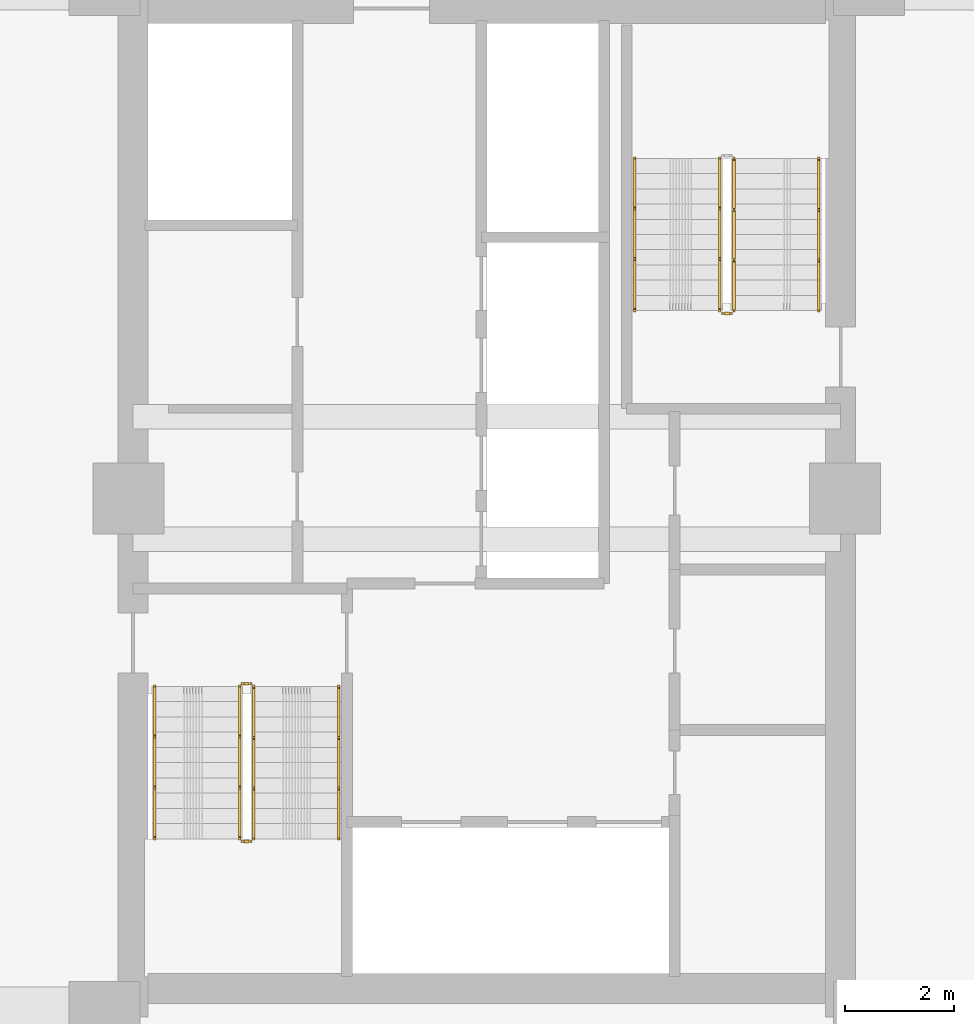
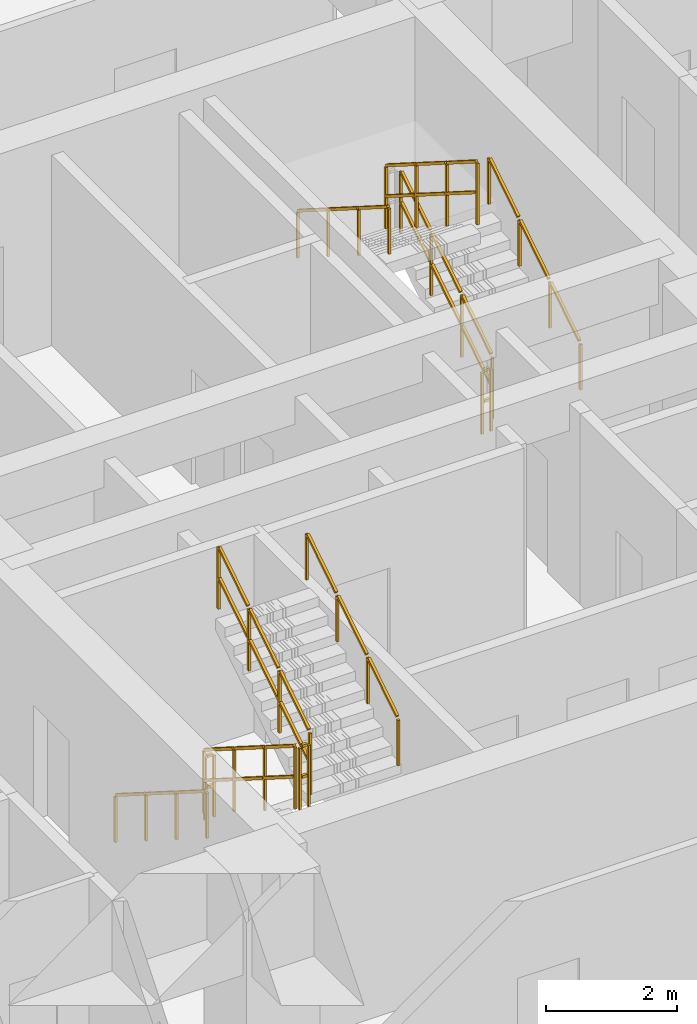
# One storey, part 11 of 13: 11 railings.
"""IFC4 building model written with IfcOpenShell, lengths in metres."""

from ifc_helpers import new_model, si_unit, direction, frame, origin, origin_2d, place, context, subcontext, project, spatial, rectangle, extrude, material, type_object, element, save


model = new_model("IFC4")

# Units and contexts
model_context = context("Model", 3, precision=1e-05, world=origin(), true_north=direction((0.0, 1.0)))
body_context = subcontext(model_context, "Body", "Model", "MODEL_VIEW")
ifc_project = project(units=[si_unit("LENGTHUNIT", "METRE"), si_unit("AREAUNIT", "SQUARE_METRE"), si_unit("VOLUMEUNIT", "CUBIC_METRE"), si_unit("PLANEANGLEUNIT", "RADIAN"), si_unit("MASSUNIT", "GRAM", prefix="KILO")], contexts=[model_context])

# Site, building, storey
site_placement = place(None, origin())
site = spatial("IfcSite", under=ifc_project, at=site_placement, CompositionType="ELEMENT")
building_placement = place(site_placement, origin())
building = spatial("IfcBuilding", under=site, at=building_placement, Name="Saelheon Loggia Tower", CompositionType="ELEMENT")
storey_placement = place(building_placement, frame((0.0, 0.0, 122.85009765625)))
storey = spatial("IfcBuildingStorey", under=building, at=storey_placement, Name="L39", CompositionType="ELEMENT", Elevation=122.85009765625)

# Railings
ifc_material_1 = material(Name="Galvanised Steel S275 Stairwell Guardrail", Category="steel")
railing_type_1 = type_object("IfcRailingType", Name="Guard_StairWell_RL_STG", PredefinedType="GUARDRAIL", material=ifc_material_1)
railing_1_placement = place(storey_placement, frame((33.4599609375, 23.550048828125, 0.17724609375)))
element("IfcRailing", 1, at=railing_1_placement, inside=storey, type_object=railing_type_1, Name="L39 ST1 stair guard 1", PredefinedType="GUARDRAIL", context=body_context, shape_type="SweptSolid", body=[
    extrude(rectangle(XDim=0.048095703125, YDim=0.048095703125, at=origin_2d()), frame((0.0, -0.028076171875, 1.193603515625), z_axis=(0.0, -0.844908973607, 0.534910110503), x_axis=(1.0, 0.0, 0.0)), (0.0, 0.0, 1.0), 1.0380859375),
    extrude(rectangle(XDim=0.048095703125, YDim=0.048095703125, at=origin_2d()), frame((0.0, -0.028076171875, 0.61767578125), z_axis=(0.0, -0.844908973607, 0.534910110503), x_axis=(1.0, 0.0, 0.0)), (0.0, 0.0, 1.0), 1.0380859375),
    extrude(rectangle(XDim=0.048095703125, YDim=0.048095703125, at=origin_2d()), frame((0.0, -0.96142578125, 1.78466796875), z_axis=(0.0, -0.844908973607, 0.534910110503), x_axis=(1.0, 0.0, 0.0)), (0.0, 0.0, 1.0), 1.0380859375),
    extrude(rectangle(XDim=0.048095703125, YDim=0.048095703125, at=origin_2d()), frame((0.0, -0.96142578125, 1.208740234375), z_axis=(0.0, -0.844908973607, 0.534910110503), x_axis=(1.0, 0.0, 0.0)), (0.0, 0.0, 1.0), 1.0380859375),
    extrude(rectangle(XDim=0.048095703125, YDim=0.048095703125, at=origin_2d()), frame((0.0, -1.894775390625, 2.37548828125), z_axis=(0.0, -0.844908973607, 0.534910110503), x_axis=(1.0, 0.0, 0.0)), (0.0, 0.0, 1.0), 1.0380859375),
    extrude(rectangle(XDim=0.048095703125, YDim=0.048095703125, at=origin_2d()), frame((0.0, -1.894775390625, 1.799560546875), z_axis=(0.0, -0.844908973607, 0.534910110503), x_axis=(1.0, 0.0, 0.0)), (0.0, 0.0, 1.0), 1.0380859375),
    extrude(rectangle(XDim=0.0419921875, YDim=0.0419921875, at=origin_2d()), origin(), (0.0, 0.0, 1.0), 1.14794921875),
    extrude(rectangle(XDim=0.0419921875, YDim=0.0419921875, at=origin_2d()), frame((0.0, -0.933349609375, 0.5908203125)), (0.0, 0.0, 1.0), 1.14794921875),
    extrude(rectangle(XDim=0.0419921875, YDim=0.0419921875, at=origin_2d()), frame((0.0, -1.86669921875, 1.181884765625)), (0.0, 0.0, 1.0), 1.14794921875),
    extrude(rectangle(XDim=0.0419921875, YDim=0.0419921875, at=origin_2d()), frame((0.0, -2.800048828125, 1.772705078125)), (0.0, 0.0, 1.0), 1.14794921875),
])
railing_2_placement = place(storey_placement, frame((33.510009765625, 20.699951171875, 1.949951171875)))
element("IfcRailing", 2, at=railing_2_placement, inside=storey, type_object=railing_type_1, Name="L39 ST1 stair guard 2", PredefinedType="GUARDRAIL", context=body_context, shape_type="SweptSolid", body=[
    extrude(rectangle(XDim=0.048095703125, YDim=0.048095703125, at=origin_2d()), frame((0.033203125, 0.0, 1.17578125), z_axis=(1.0, 0.0, 0.0), x_axis=(0.0, 1.0, 0.0)), (0.0, 0.0, 1.0), 0.093505859375),
    extrude(rectangle(XDim=0.048095703125, YDim=0.048095703125, at=origin_2d()), frame((0.033203125, 0.0, 0.60009765625), z_axis=(1.0, 0.0, 0.0), x_axis=(0.0, 1.0, 0.0)), (0.0, 0.0, 1.0), 0.093505859375),
    extrude(rectangle(XDim=0.0419921875, YDim=0.0419921875, at=origin_2d()), origin(), (0.0, 0.0, 1.0), 1.14794921875),
    extrude(rectangle(XDim=0.0419921875, YDim=0.0419921875, at=origin_2d()), frame((0.159912109375, 0.0, 0.0)), (0.0, 0.0, 1.0), 1.14794921875),
])
railing_3_placement = place(storey_placement, frame((33.719970703125, 20.75, 2.127197265625)))
element("IfcRailing", 3, at=railing_3_placement, inside=storey, type_object=railing_type_1, Name="L39 ST1 stair guard 3", PredefinedType="GUARDRAIL", context=body_context, shape_type="SweptSolid", body=[
    extrude(rectangle(XDim=0.048095703125, YDim=0.048095703125, at=origin_2d()), frame((0.0, 0.028076171875, 1.193603515625), z_axis=(0.0, 0.844908973607, 0.534910110503), x_axis=(-1.0, 0.0, 0.0)), (0.0, 0.0, 1.0), 1.0380859375),
    extrude(rectangle(XDim=0.048095703125, YDim=0.048095703125, at=origin_2d()), frame((0.0, 0.028076171875, 0.61767578125), z_axis=(0.0, 0.844908973607, 0.534910110503), x_axis=(-1.0, 0.0, 0.0)), (0.0, 0.0, 1.0), 1.0380859375),
    extrude(rectangle(XDim=0.048095703125, YDim=0.048095703125, at=origin_2d()), frame((0.0, 0.96142578125, 1.78466796875), z_axis=(0.0, 0.844908973607, 0.534910110503), x_axis=(-1.0, 0.0, 0.0)), (0.0, 0.0, 1.0), 1.0380859375),
    extrude(rectangle(XDim=0.048095703125, YDim=0.048095703125, at=origin_2d()), frame((0.0, 0.96142578125, 1.208740234375), z_axis=(0.0, 0.844908973607, 0.534910110503), x_axis=(-1.0, 0.0, 0.0)), (0.0, 0.0, 1.0), 1.0380859375),
    extrude(rectangle(XDim=0.048095703125, YDim=0.048095703125, at=origin_2d()), frame((0.0, 1.894775390625, 2.37548828125), z_axis=(0.0, 0.844908973607, 0.534910110503), x_axis=(-1.0, 0.0, 0.0)), (0.0, 0.0, 1.0), 1.0380859375),
    extrude(rectangle(XDim=0.048095703125, YDim=0.048095703125, at=origin_2d()), frame((0.0, 1.894775390625, 1.799560546875), z_axis=(0.0, 0.844908973607, 0.534910110503), x_axis=(-1.0, 0.0, 0.0)), (0.0, 0.0, 1.0), 1.0380859375),
    extrude(rectangle(XDim=0.0419921875, YDim=0.0419921875, at=origin_2d()), origin(), (0.0, 0.0, 1.0), 1.14794921875),
    extrude(rectangle(XDim=0.0419921875, YDim=0.0419921875, at=origin_2d()), frame((0.0, 0.933349609375, 0.5908203125)), (0.0, 0.0, 1.0), 1.14794921875),
    extrude(rectangle(XDim=0.0419921875, YDim=0.0419921875, at=origin_2d()), frame((0.0, 1.86669921875, 1.181884765625)), (0.0, 0.0, 1.0), 1.14794921875),
    extrude(rectangle(XDim=0.0419921875, YDim=0.0419921875, at=origin_2d()), frame((0.0, 2.800048828125, 1.772705078125)), (0.0, 0.0, 1.0), 1.14794921875),
])
railing_4_placement = place(storey_placement, frame((33.510009765625, 23.60009765625, 0.0)))
element("IfcRailing", 4, at=railing_4_placement, inside=storey, type_object=railing_type_1, Name="L39 ST1 stair guard 4", PredefinedType="GUARDRAIL", context=body_context, shape_type="SweptSolid", body=[
    extrude(rectangle(XDim=0.048095703125, YDim=0.048095703125, at=origin_2d()), frame((0.033203125, 0.0, 1.17578125), z_axis=(1.0, 0.0, 0.0), x_axis=(0.0, 1.0, 0.0)), (0.0, 0.0, 1.0), 0.093505859375),
    extrude(rectangle(XDim=0.048095703125, YDim=0.048095703125, at=origin_2d()), frame((0.033203125, 0.0, 0.60009765625), z_axis=(1.0, 0.0, 0.0), x_axis=(0.0, 1.0, 0.0)), (0.0, 0.0, 1.0), 0.093505859375),
    extrude(rectangle(XDim=0.0419921875, YDim=0.0419921875, at=origin_2d()), origin(), (0.0, 0.0, 1.0), 1.14794921875),
    extrude(rectangle(XDim=0.0419921875, YDim=0.0419921875, at=origin_2d()), frame((0.159912109375, 0.0, 0.0)), (0.0, 0.0, 1.0), 1.14794921875),
])
railing_5_placement = place(storey_placement, frame((42.5400390625, 30.449951171875, 0.17724609375)))
element("IfcRailing", 5, at=railing_5_placement, inside=storey, type_object=railing_type_1, Name="L39 ST2 stair guard 1", PredefinedType="GUARDRAIL", context=body_context, shape_type="SweptSolid", body=[
    extrude(rectangle(XDim=0.048095703125, YDim=0.048095703125, at=origin_2d()), frame((0.0, 0.028076171875, 1.193603515625), z_axis=(0.0, 0.844908973607, 0.534910110503), x_axis=(-1.0, 0.0, 0.0)), (0.0, 0.0, 1.0), 1.0380859375),
    extrude(rectangle(XDim=0.048095703125, YDim=0.048095703125, at=origin_2d()), frame((0.0, 0.028076171875, 0.61767578125), z_axis=(0.0, 0.844908973607, 0.534910110503), x_axis=(-1.0, 0.0, 0.0)), (0.0, 0.0, 1.0), 1.0380859375),
    extrude(rectangle(XDim=0.048095703125, YDim=0.048095703125, at=origin_2d()), frame((0.0, 0.96142578125, 1.78466796875), z_axis=(0.0, 0.844908973607, 0.534910110503), x_axis=(-1.0, 0.0, 0.0)), (0.0, 0.0, 1.0), 1.0380859375),
    extrude(rectangle(XDim=0.048095703125, YDim=0.048095703125, at=origin_2d()), frame((0.0, 0.96142578125, 1.208740234375), z_axis=(0.0, 0.844908973607, 0.534910110503), x_axis=(-1.0, 0.0, 0.0)), (0.0, 0.0, 1.0), 1.0380859375),
    extrude(rectangle(XDim=0.048095703125, YDim=0.048095703125, at=origin_2d()), frame((0.0, 1.894775390625, 2.37548828125), z_axis=(0.0, 0.844908973607, 0.534910110503), x_axis=(-1.0, 0.0, 0.0)), (0.0, 0.0, 1.0), 1.0380859375),
    extrude(rectangle(XDim=0.048095703125, YDim=0.048095703125, at=origin_2d()), frame((0.0, 1.894775390625, 1.799560546875), z_axis=(0.0, 0.844908973607, 0.534910110503), x_axis=(-1.0, 0.0, 0.0)), (0.0, 0.0, 1.0), 1.0380859375),
    extrude(rectangle(XDim=0.0419921875, YDim=0.0419921875, at=origin_2d()), origin(), (0.0, 0.0, 1.0), 1.14794921875),
    extrude(rectangle(XDim=0.0419921875, YDim=0.0419921875, at=origin_2d()), frame((0.0, 0.933349609375, 0.5908203125)), (0.0, 0.0, 1.0), 1.14794921875),
    extrude(rectangle(XDim=0.0419921875, YDim=0.0419921875, at=origin_2d()), frame((0.0, 1.86669921875, 1.181884765625)), (0.0, 0.0, 1.0), 1.14794921875),
    extrude(rectangle(XDim=0.0419921875, YDim=0.0419921875, at=origin_2d()), frame((0.0, 2.800048828125, 1.772705078125)), (0.0, 0.0, 1.0), 1.14794921875),
])
railing_6_placement = place(storey_placement, frame((42.280029296875, 33.25, 2.127197265625)))
element("IfcRailing", 6, at=railing_6_placement, inside=storey, type_object=railing_type_1, Name="L39 ST2 stair guard 3", PredefinedType="GUARDRAIL", context=body_context, shape_type="SweptSolid", body=[
    extrude(rectangle(XDim=0.048095703125, YDim=0.048095703125, at=origin_2d()), frame((0.0, -0.028076171875, 1.193603515625), z_axis=(0.0, -0.844908973607, 0.534910110503), x_axis=(1.0, 0.0, 0.0)), (0.0, 0.0, 1.0), 1.0380859375),
    extrude(rectangle(XDim=0.048095703125, YDim=0.048095703125, at=origin_2d()), frame((0.0, -0.028076171875, 0.61767578125), z_axis=(0.0, -0.844908973607, 0.534910110503), x_axis=(1.0, 0.0, 0.0)), (0.0, 0.0, 1.0), 1.0380859375),
    extrude(rectangle(XDim=0.048095703125, YDim=0.048095703125, at=origin_2d()), frame((0.0, -0.96142578125, 1.78466796875), z_axis=(0.0, -0.844908973607, 0.534910110503), x_axis=(1.0, 0.0, 0.0)), (0.0, 0.0, 1.0), 1.0380859375),
    extrude(rectangle(XDim=0.048095703125, YDim=0.048095703125, at=origin_2d()), frame((0.0, -0.96142578125, 1.208740234375), z_axis=(0.0, -0.844908973607, 0.534910110503), x_axis=(1.0, 0.0, 0.0)), (0.0, 0.0, 1.0), 1.0380859375),
    extrude(rectangle(XDim=0.048095703125, YDim=0.048095703125, at=origin_2d()), frame((0.0, -1.894775390625, 2.37548828125), z_axis=(0.0, -0.844908973607, 0.534910110503), x_axis=(1.0, 0.0, 0.0)), (0.0, 0.0, 1.0), 1.0380859375),
    extrude(rectangle(XDim=0.048095703125, YDim=0.048095703125, at=origin_2d()), frame((0.0, -1.894775390625, 1.799560546875), z_axis=(0.0, -0.844908973607, 0.534910110503), x_axis=(1.0, 0.0, 0.0)), (0.0, 0.0, 1.0), 1.0380859375),
    extrude(rectangle(XDim=0.0419921875, YDim=0.0419921875, at=origin_2d()), origin(), (0.0, 0.0, 1.0), 1.14794921875),
    extrude(rectangle(XDim=0.0419921875, YDim=0.0419921875, at=origin_2d()), frame((0.0, -0.933349609375, 0.5908203125)), (0.0, 0.0, 1.0), 1.14794921875),
    extrude(rectangle(XDim=0.0419921875, YDim=0.0419921875, at=origin_2d()), frame((0.0, -1.86669921875, 1.181884765625)), (0.0, 0.0, 1.0), 1.14794921875),
    extrude(rectangle(XDim=0.0419921875, YDim=0.0419921875, at=origin_2d()), frame((0.0, -2.800048828125, 1.772705078125)), (0.0, 0.0, 1.0), 1.14794921875),
])
railing_7_placement = place(storey_placement, frame((42.489990234375, 30.39990234375, 0.0)))
element("IfcRailing", 7, at=railing_7_placement, inside=storey, type_object=railing_type_1, Name="L39 ST2 stair guard 4", PredefinedType="GUARDRAIL", context=body_context, shape_type="SweptSolid", body=[
    extrude(rectangle(XDim=0.048095703125, YDim=0.048095703125, at=origin_2d()), frame((-0.033203125, 0.0, 1.17578125), z_axis=(-1.0, 0.0, 0.0), x_axis=(0.0, -1.0, 0.0)), (0.0, 0.0, 1.0), 0.093505859375),
    extrude(rectangle(XDim=0.048095703125, YDim=0.048095703125, at=origin_2d()), frame((-0.033203125, 0.0, 0.60009765625), z_axis=(-1.0, 0.0, 0.0), x_axis=(0.0, -1.0, 0.0)), (0.0, 0.0, 1.0), 0.093505859375),
    extrude(rectangle(XDim=0.0419921875, YDim=0.0419921875, at=origin_2d()), origin(), (0.0, 0.0, 1.0), 1.14794921875),
    extrude(rectangle(XDim=0.0419921875, YDim=0.0419921875, at=origin_2d()), frame((-0.159912109375, 0.0, 0.0)), (0.0, 0.0, 1.0), 1.14794921875),
])
ifc_material_2 = material(Name="Stainless Steel 304 Tubular Handrail", Category="steel")
railing_type_2 = type_object("IfcRailingType", Name="Handrail_Stair_RL_HR1", PredefinedType="HANDRAIL", material=ifc_material_2)
railing_8_placement = place(storey_placement, frame((31.89990234375, 23.550048828125, 0.17724609375)))
element("IfcRailing", 8, at=railing_8_placement, inside=storey, type_object=railing_type_2, Name="L39 ST1 stair handrail 1", PredefinedType="HANDRAIL", context=body_context, shape_type="SweptSolid", body=[
    extrude(rectangle(XDim=0.048095703125, YDim=0.048095703125, at=origin_2d()), frame((0.0, -0.028076171875, 0.8935546875), z_axis=(0.0, -0.844908973607, 0.534910110503), x_axis=(1.0, 0.0, 0.0)), (0.0, 0.0, 1.0), 1.0380859375),
    extrude(rectangle(XDim=0.048095703125, YDim=0.048095703125, at=origin_2d()), frame((0.0, -0.96142578125, 1.484619140625), z_axis=(0.0, -0.844908973607, 0.534910110503), x_axis=(1.0, 0.0, 0.0)), (0.0, 0.0, 1.0), 1.0380859375),
    extrude(rectangle(XDim=0.048095703125, YDim=0.048095703125, at=origin_2d()), frame((0.0, -1.894775390625, 2.075439453125), z_axis=(0.0, -0.844908973607, 0.534910110503), x_axis=(1.0, 0.0, 0.0)), (0.0, 0.0, 1.0), 1.0380859375),
    extrude(rectangle(XDim=0.0419921875, YDim=0.0419921875, at=origin_2d()), origin(), (0.0, 0.0, 1.0), 0.847900390625),
    extrude(rectangle(XDim=0.0419921875, YDim=0.0419921875, at=origin_2d()), frame((0.0, -0.933349609375, 0.5908203125)), (0.0, 0.0, 1.0), 0.847900390625),
    extrude(rectangle(XDim=0.0419921875, YDim=0.0419921875, at=origin_2d()), frame((0.0, -1.86669921875, 1.181884765625)), (0.0, 0.0, 1.0), 0.847900390625),
    extrude(rectangle(XDim=0.0419921875, YDim=0.0419921875, at=origin_2d()), frame((0.0, -2.800048828125, 1.772705078125)), (0.0, 0.0, 1.0), 0.847900390625),
])
for number, where, name in (
    (9, (35.280029296875, 20.75, 2.127197265625), "L39 ST1 stair handrail 2"),
    (10, (44.10009765625, 30.449951171875, 0.17724609375), "L39 ST2 stair handrail 1"),
):
    element("IfcRailing", number, at=place(storey_placement, frame(where)), inside=storey, type_object=railing_type_2, Name=name, PredefinedType="HANDRAIL", context=body_context, shape_type="SweptSolid", body=[
        extrude(rectangle(XDim=0.048095703125, YDim=0.048095703125, at=origin_2d()), frame((0.0, 0.028076171875, 0.8935546875), z_axis=(0.0, 0.844908973607, 0.534910110503), x_axis=(-1.0, 0.0, 0.0)), (0.0, 0.0, 1.0), 1.0380859375),
        extrude(rectangle(XDim=0.048095703125, YDim=0.048095703125, at=origin_2d()), frame((0.0, 0.96142578125, 1.484619140625), z_axis=(0.0, 0.844908973607, 0.534910110503), x_axis=(-1.0, 0.0, 0.0)), (0.0, 0.0, 1.0), 1.0380859375),
        extrude(rectangle(XDim=0.048095703125, YDim=0.048095703125, at=origin_2d()), frame((0.0, 1.894775390625, 2.075439453125), z_axis=(0.0, 0.844908973607, 0.534910110503), x_axis=(-1.0, 0.0, 0.0)), (0.0, 0.0, 1.0), 1.0380859375),
        extrude(rectangle(XDim=0.0419921875, YDim=0.0419921875, at=origin_2d()), origin(), (0.0, 0.0, 1.0), 0.847900390625),
        extrude(rectangle(XDim=0.0419921875, YDim=0.0419921875, at=origin_2d()), frame((0.0, 0.933349609375, 0.5908203125)), (0.0, 0.0, 1.0), 0.847900390625),
        extrude(rectangle(XDim=0.0419921875, YDim=0.0419921875, at=origin_2d()), frame((0.0, 1.86669921875, 1.181884765625)), (0.0, 0.0, 1.0), 0.847900390625),
        extrude(rectangle(XDim=0.0419921875, YDim=0.0419921875, at=origin_2d()), frame((0.0, 2.800048828125, 1.772705078125)), (0.0, 0.0, 1.0), 0.847900390625),
    ])
railing_9_placement = place(storey_placement, frame((40.719970703125, 33.25, 2.127197265625)))
element("IfcRailing", 11, at=railing_9_placement, inside=storey, type_object=railing_type_2, Name="L39 ST2 stair handrail 2", PredefinedType="HANDRAIL", context=body_context, shape_type="SweptSolid", body=[
    extrude(rectangle(XDim=0.048095703125, YDim=0.048095703125, at=origin_2d()), frame((0.0, -0.028076171875, 0.8935546875), z_axis=(0.0, -0.844908973607, 0.534910110503), x_axis=(1.0, 0.0, 0.0)), (0.0, 0.0, 1.0), 1.0380859375),
    extrude(rectangle(XDim=0.048095703125, YDim=0.048095703125, at=origin_2d()), frame((0.0, -0.96142578125, 1.484619140625), z_axis=(0.0, -0.844908973607, 0.534910110503), x_axis=(1.0, 0.0, 0.0)), (0.0, 0.0, 1.0), 1.0380859375),
    extrude(rectangle(XDim=0.048095703125, YDim=0.048095703125, at=origin_2d()), frame((0.0, -1.894775390625, 2.075439453125), z_axis=(0.0, -0.844908973607, 0.534910110503), x_axis=(1.0, 0.0, 0.0)), (0.0, 0.0, 1.0), 1.0380859375),
    extrude(rectangle(XDim=0.0419921875, YDim=0.0419921875, at=origin_2d()), origin(), (0.0, 0.0, 1.0), 0.847900390625),
    extrude(rectangle(XDim=0.0419921875, YDim=0.0419921875, at=origin_2d()), frame((0.0, -0.933349609375, 0.5908203125)), (0.0, 0.0, 1.0), 0.847900390625),
    extrude(rectangle(XDim=0.0419921875, YDim=0.0419921875, at=origin_2d()), frame((0.0, -1.86669921875, 1.181884765625)), (0.0, 0.0, 1.0), 0.847900390625),
    extrude(rectangle(XDim=0.0419921875, YDim=0.0419921875, at=origin_2d()), frame((0.0, -2.800048828125, 1.772705078125)), (0.0, 0.0, 1.0), 0.847900390625),
])

save(model, "model.ifc")
